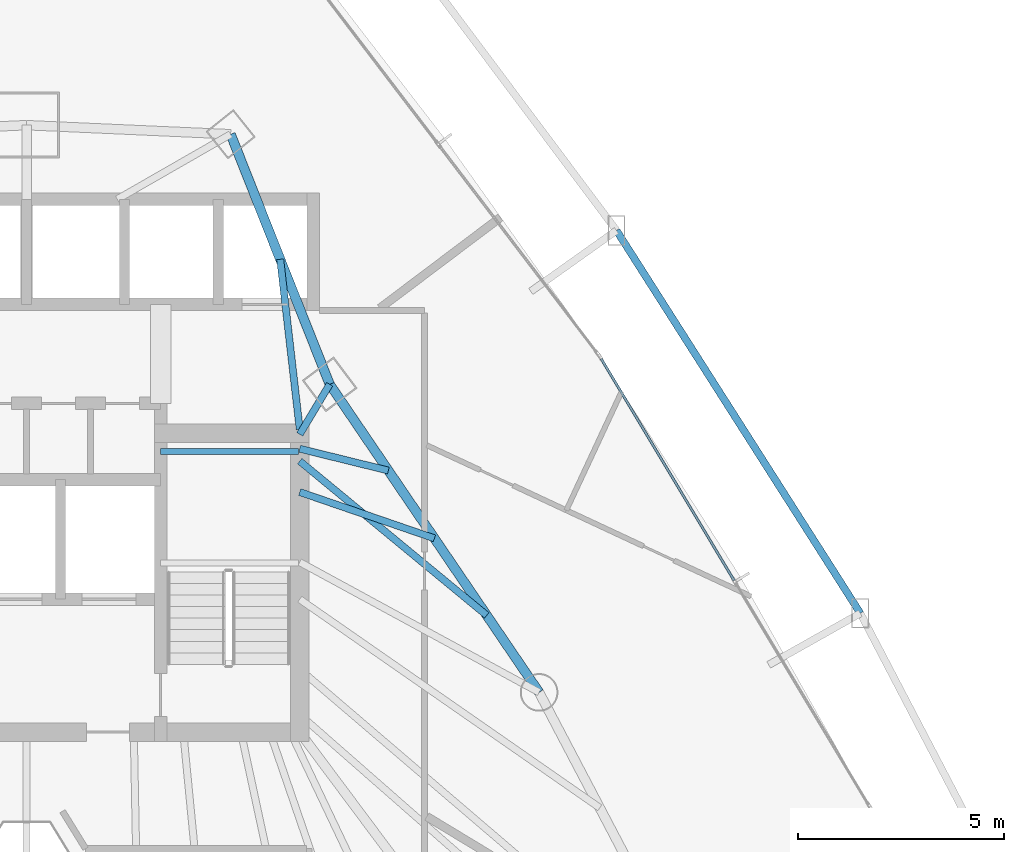
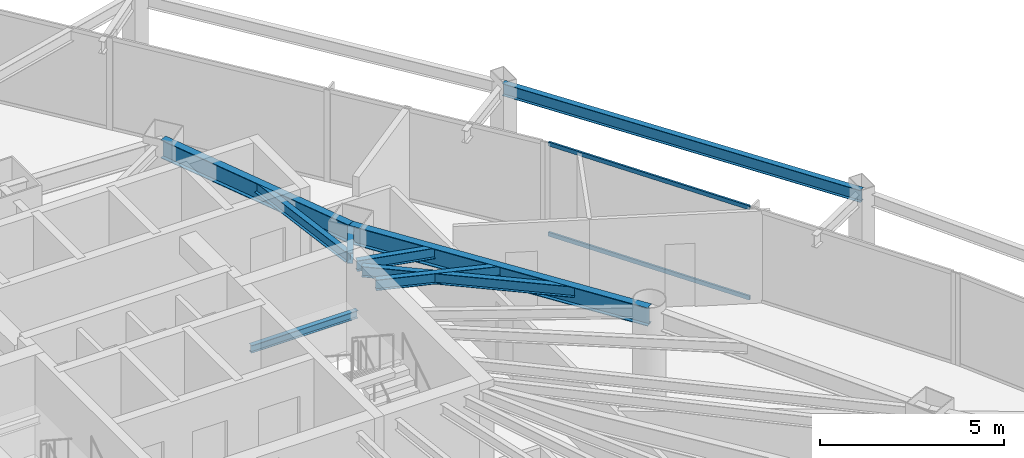
# One storey, part 28 of 38: 9 beams, 2 members, 1 element without a shape of its own.
"""IFC4 building model written with IfcOpenShell, lengths in metres."""

from ifc_helpers import new_model, si_unit, direction, frame, origin, origin_2d, place, context, subcontext, project, spatial, hollow_rectangle, i_section, extrude, material, layer, layer_set, material_profile, profile_set, type_object, element, aggregate, save


model = new_model("IFC4")

# Units and contexts
model_context = context("Model", 3, precision=1e-05, world=origin(), true_north=direction((0.0, 1.0)))
body_context = subcontext(model_context, "Body", "Model", "MODEL_VIEW")
ifc_project = project(units=[si_unit("LENGTHUNIT", "METRE"), si_unit("AREAUNIT", "SQUARE_METRE"), si_unit("VOLUMEUNIT", "CUBIC_METRE"), si_unit("PLANEANGLEUNIT", "RADIAN"), si_unit("MASSUNIT", "GRAM", prefix="KILO")], contexts=[model_context])

# Site, building, storey
site_placement = place(None, origin())
site = spatial("IfcSite", under=ifc_project, at=site_placement, CompositionType="ELEMENT")
building_placement = place(site_placement, origin())
building = spatial("IfcBuilding", under=site, at=building_placement, Name="Orvanel Arch Residences", CompositionType="ELEMENT")
storey_placement = place(building_placement, frame((0.0, 0.0, 43.39990234375)))
storey = spatial("IfcBuildingStorey", under=building, at=storey_placement, Name="L11", CompositionType="ELEMENT", Elevation=43.39990234375)

# Beams
ifc_material_1 = material(Name="Structural steel AS/NZS 3679.1 Grade 300 (300 MPa)", Category="steel")
ifc_material_profile_1 = material_profile(ifc_material_1, i_section(OverallWidth=0.14599609375, OverallDepth=0.251953125, WebThickness=0.006103515625, FlangeThickness=0.008544921875, at=origin_2d()), Name="250UB31.4")
ifc_profile_set_1 = profile_set([ifc_material_profile_1], Name="Structural steel AS/NZS 3679.1 Grade 300 (300 MPa)")
beam_type_1 = type_object("IfcBeamType", Name="BJ-250UB", PredefinedType="JOIST", material=ifc_profile_set_1)
beam_1_placement = place(storey_placement, frame((36.25, 33.47998046875, 1.32421875), z_axis=(1.0, 0.0, 0.0), x_axis=(0.0, 1.0, 0.0)))
element("IfcBeam", 1, at=beam_1_placement, inside=storey, type_object=beam_type_1, Name="L11 ST-2 Half-Landing Support Beam 1.2", PredefinedType="JOIST", context=body_context, shape_type="SweptSolid", body=[
    extrude(i_section(OverallWidth=0.14599609375, OverallDepth=0.251953125, WebThickness=0.006103515625, FlangeThickness=0.008544921875, at=origin_2d()), origin(), (0.0, 0.0, 1.0), 3.35009765625),
])
ifc_material_profile_2 = material_profile(ifc_material_1, i_section(OverallWidth=0.1708984375, OverallDepth=0.35595703125, WebThickness=0.00732421875, FlangeThickness=0.011474609375, at=origin_2d()), Name="360UB50.7")
ifc_profile_set_2 = profile_set([ifc_material_profile_2], Name="Structural steel AS/NZS 3679.1 Grade 300 (300 MPa)")
beam_type_2 = type_object("IfcBeamType", Name="BJ-360UB", PredefinedType="JOIST", material=ifc_profile_set_2)
beam_2_placement = place(storey_placement, frame((39.625, 33.89990234375, 2.882080078125), z_axis=(0.514064138778, 0.857751748015, 0.0), x_axis=(-0.857751748015, 0.514064138778, 0.0)))
element("IfcBeam", 2, at=beam_2_placement, inside=storey, type_object=beam_type_2, Name="L11 NNE Wing Floor Joist", PredefinedType="JOIST", context=body_context, shape_type="SweptSolid", body=[
    extrude(i_section(OverallWidth=0.1708984375, OverallDepth=0.35595703125, WebThickness=0.00732421875, FlangeThickness=0.011474609375, at=origin_2d()), origin(), (0.0, 0.0, 1.0), 1.414306640625),
])
beam_3_placement = place(storey_placement, frame((39.625, 34.02001953125, 2.882080078125), z_axis=(-0.114186670431, 0.993459311847, 0.0), x_axis=(-0.993459311847, -0.114186670431, 0.0)))
element("IfcBeam", 3, at=beam_3_placement, inside=storey, type_object=beam_type_2, Name="L11 NNE2 Wing Floor Joist", PredefinedType="JOIST", context=body_context, shape_type="SweptSolid", body=[
    extrude(i_section(OverallWidth=0.1708984375, OverallDepth=0.35595703125, WebThickness=0.00732421875, FlangeThickness=0.011474609375, at=origin_2d()), origin(), (0.0, 0.0, 1.0), 4.152099609375),
])
beam_4_placement = place(storey_placement, frame((39.625, 32.5, 2.882080078125), z_axis=(0.945658073701, -0.325162740247, 0.0), x_axis=(0.325162740247, 0.945658073701, 0.0)))
element("IfcBeam", 4, at=beam_4_placement, inside=storey, type_object=beam_type_2, Name="L11 ENE Wing Floor Joist", PredefinedType="JOIST", context=body_context, shape_type="SweptSolid", body=[
    extrude(i_section(OverallWidth=0.1708984375, OverallDepth=0.35595703125, WebThickness=0.00732421875, FlangeThickness=0.011474609375, at=origin_2d()), origin(), (0.0, 0.0, 1.0), 3.453857421875),
])
beam_5_placement = place(storey_placement, frame((39.625, 33.25, 2.882080078125), z_axis=(0.771468562814, -0.636267441089, 0.0), x_axis=(0.636267441089, 0.771468562814, 0.0)))
element("IfcBeam", 5, at=beam_5_placement, inside=storey, type_object=beam_type_2, Name="L11 LE Wing Floor Joist", PredefinedType="JOIST", context=body_context, shape_type="SweptSolid", body=[
    extrude(i_section(OverallWidth=0.1708984375, OverallDepth=0.35595703125, WebThickness=0.00732421875, FlangeThickness=0.011474609375, at=origin_2d()), origin(), (0.0, 0.0, 1.0), 5.879638671875),
])
beam_6_placement = place(storey_placement, frame((39.625, 33.550048828125, 2.882080078125), z_axis=(0.971005818547, -0.239055851942, 0.0), x_axis=(0.239055851942, 0.971005818547, 0.0)))
element("IfcBeam", 6, at=beam_6_placement, inside=storey, type_object=beam_type_2, Name="L11 JADD4 Wing Floor Joist", PredefinedType="JOIST", context=body_context, shape_type="SweptSolid", body=[
    extrude(i_section(OverallWidth=0.1708984375, OverallDepth=0.35595703125, WebThickness=0.00732421875, FlangeThickness=0.011474609375, at=origin_2d()), origin(), (0.0, 0.0, 1.0), 2.213134765625),
])
ifc_material_profile_3 = material_profile(ifc_material_1, i_section(OverallWidth=0.177978515625, OverallDepth=0.406005859375, WebThickness=0.0078125, FlangeThickness=0.0126953125, at=origin_2d()), Name="410UB59.7")
ifc_profile_set_3 = profile_set([ifc_material_profile_3], Name="Structural steel AS/NZS 3679.1 Grade 300 (300 MPa)")
beam_type_3 = type_object("IfcBeamType", Name="OB-410UB-EXT", PredefinedType="SPANDREL", material=ifc_profile_set_3)
beam_7_placement = place(storey_placement, frame((53.221923828125, 29.55908203125, 2.857177734375), z_axis=(-0.537254316305, 0.843420298316, 0.0), x_axis=(-0.843420298316, -0.537254316305, 0.0)))
element("IfcBeam", 7, at=beam_7_placement, inside=storey, type_object=beam_type_3, Name="L11 Outer Perimeter Floor Ring Beam 10", PredefinedType="SPANDREL", context=body_context, shape_type="SweptSolid", body=[
    extrude(i_section(OverallWidth=0.177978515625, OverallDepth=0.406005859375, WebThickness=0.0078125, FlangeThickness=0.0126953125, at=origin_2d()), origin(), (0.0, 0.0, 1.0), 11.007568359375),
])
ifc_material_profile_4 = material_profile(ifc_material_1, i_section(OverallWidth=0.22900390625, OverallDepth=0.612060546875, WebThickness=0.011962890625, FlangeThickness=0.01953125, at=origin_2d()), Name="610UB125")
ifc_profile_set_4 = profile_set([ifc_material_profile_4], Name="Structural steel AS/NZS 3679.1 Grade 300 (300 MPa)")
beam_type_4 = type_object("IfcBeamType", Name="SP-610UB", PredefinedType="SPANDREL", material=ifc_profile_set_4)
beam_8_placement = place(storey_placement, frame((45.430908203125, 27.64111328125, 2.754150390625), z_axis=(-0.562154793153, 0.827032035978, 0.0), x_axis=(-0.827032035978, -0.562154793153, 0.0)))
element("IfcBeam", 8, at=beam_8_placement, inside=storey, type_object=beam_type_4, Name="L11 Perimeter Spandrel Beam 14", PredefinedType="SPANDREL", context=body_context, shape_type="SweptSolid", body=[
    extrude(i_section(OverallWidth=0.22900390625, OverallDepth=0.612060546875, WebThickness=0.011962890625, FlangeThickness=0.01953125, at=origin_2d()), origin(), (0.0, 0.0, 1.0), 9.03466796875),
])
beam_9_placement = place(storey_placement, frame((40.35205078125, 35.113037109375, 2.754150390625), z_axis=(-0.368233143579, 0.929733484376, 0.0), x_axis=(-0.929733484376, -0.368233143579, 0.0)))
element("IfcBeam", 9, at=beam_9_placement, inside=storey, type_object=beam_type_4, Name="L11 Perimeter Spandrel Beam 15", PredefinedType="SPANDREL", context=body_context, shape_type="SweptSolid", body=[
    extrude(i_section(OverallWidth=0.22900390625, OverallDepth=0.612060546875, WebThickness=0.011962890625, FlangeThickness=0.01953125, at=origin_2d()), origin(), (0.0, 0.0, 1.0), 6.523193359375),
])

# Curtain wall, members
ifc_material_2 = material(Name="Bronze-anodised aluminium AA6063-T6", Category="aluminium")
ifc_layer = layer(ifc_material_2, 0.179931640625)
ifc_layer_set = layer_set([ifc_layer], Name="Bronze-anodised aluminium AA6063-T6")
curtain_wall_type = type_object("IfcCurtainWallType", Name="CW2-LOW-SYS", PredefinedType="NOTDEFINED", material=ifc_layer_set)
curtain_wall_placement = place(storey_placement, origin())
curtain_wall = element("IfcCurtainWall", 10, at=curtain_wall_placement, inside=storey, type_object=curtain_wall_type, Name="L11 CW2-LOW-SYS Unitised Curtain Wall", PredefinedType="NOTDEFINED")
ifc_material_profile_5 = material_profile(ifc_material_2, hollow_rectangle(XDim=0.06005859375, YDim=0.135009765625, WallThickness=0.00390625, at=origin_2d()), Name="ALU135x60x4")
ifc_profile_set_5 = profile_set([ifc_material_profile_5], Name="Bronze-anodised aluminium AA6063-T6")
member_type = type_object("IfcMemberType", Name="TRN-135x60", PredefinedType="USERDEFINED", material=ifc_profile_set_5)
member_1_placement = place(storey_placement, frame((50.159912109375, 30.3564453125, 0.030029296875), z_axis=(-0.514352631458, 0.857578783851, 0.0), x_axis=(-0.857578783851, -0.514352631458, 0.0)))
member_1 = element("IfcMember", 11, at=member_1_placement, type_object=member_type, Name="CW-S2 transom 2.1", ObjectType="TRANSOM", PredefinedType="USERDEFINED", context=body_context, shape_type="SweptSolid", body=[
    extrude(hollow_rectangle(XDim=0.06005859375, YDim=0.135009765625, WallThickness=0.00390625, at=origin_2d()), origin(), (0.0, 0.0, 1.0), 6.271728515625),
])
member_2_placement = place(storey_placement, frame((50.159912109375, 30.3564453125, 3.030029296875), z_axis=(-0.514352631458, 0.857578783851, 0.0), x_axis=(-0.857578783851, -0.514352631458, 0.0)))
member_2 = element("IfcMember", 12, at=member_2_placement, type_object=member_type, Name="CW-S2 transom 2.2", ObjectType="TRANSOM", PredefinedType="USERDEFINED", context=body_context, shape_type="SweptSolid", body=[
    extrude(hollow_rectangle(XDim=0.06005859375, YDim=0.135009765625, WallThickness=0.00390625, at=origin_2d()), origin(), (0.0, 0.0, 1.0), 6.271728515625),
])
aggregate(curtain_wall, [member_1, member_2])

save(model, "model.ifc")
